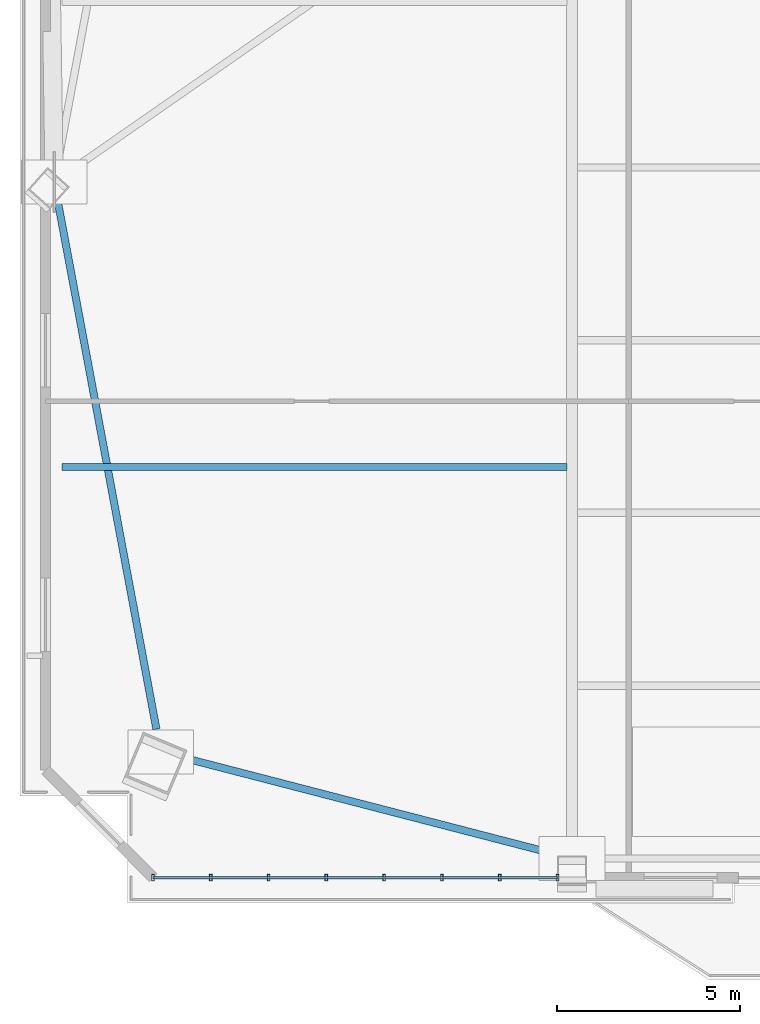
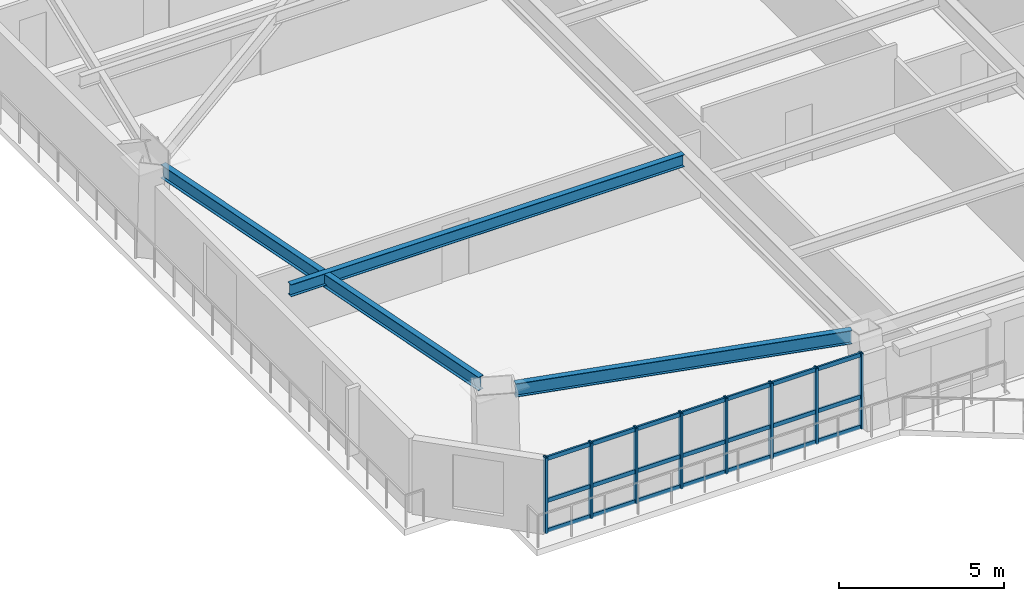
# One storey, part 2 of 15: 11 members, 3 beams, 1 element without a shape of its own.
"""IFC4 building model written with IfcOpenShell, lengths in metres."""

from ifc_helpers import new_model, si_unit, direction, frame, origin, origin_2d, place, context, subcontext, project, spatial, hollow_rectangle, i_section, extrude, source, transform, mapped, material, layer, layer_set, material_profile, profile_set, type_object, element, aggregate, save


model = new_model("IFC4")

# Units and contexts
model_context = context("Model", 3, precision=1e-05, world=origin(), true_north=direction((0.0, 1.0)))
body_context = subcontext(model_context, "Body", "Model", "MODEL_VIEW")
ifc_project = project(units=[si_unit("LENGTHUNIT", "METRE"), si_unit("AREAUNIT", "SQUARE_METRE"), si_unit("VOLUMEUNIT", "CUBIC_METRE"), si_unit("PLANEANGLEUNIT", "RADIAN"), si_unit("MASSUNIT", "GRAM", prefix="KILO")], contexts=[model_context])

# Site, building, storey
site_placement = place(None, origin())
site = spatial("IfcSite", under=ifc_project, at=site_placement, CompositionType="ELEMENT")
building_placement = place(site_placement, origin())
building = spatial("IfcBuilding", under=site, at=building_placement, Name="Giltprow Tower", CompositionType="ELEMENT")
storey_placement = place(building_placement, frame((0.0, 0.0, 156.199951171875)))
storey = spatial("IfcBuildingStorey", under=building, at=storey_placement, Name="L38", CompositionType="ELEMENT", Elevation=156.199951171875)

# Beams
ifc_material_1 = material(Name="Structural steel Q355B", Category="steel")
ifc_material_profile_1 = material_profile(ifc_material_1, i_section(OverallWidth=0.199951171875, OverallDepth=0.5, WebThickness=0.010009765625, FlangeThickness=0.01611328125, at=origin_2d()), Name="HN 500x200x10x16")
ifc_profile_set_1 = profile_set([ifc_material_profile_1], Name="Structural steel Q355B")
beam_type_1 = type_object("IfcBeamType", Name="BM-SPAN-HN500", PredefinedType="SPANDREL", material=ifc_profile_set_1)
shared_shape_1 = source(origin(), body_context, "Body", "SweptSolid", [
    extrude(i_section(OverallWidth=0.199951171875, OverallDepth=0.5, WebThickness=0.010009765625, FlangeThickness=0.01611328125, at=origin_2d()), origin(), (0.0, 0.0, 1.0), 10.603759765625),
])
beam_1_placement = place(storey_placement, frame((9.2119140625, 11.85205078125, 3.02001953125), z_axis=(0.968074122334, -0.250664105262, 0.0), x_axis=(0.250664105262, 0.968074122334, 0.0)))
element("IfcBeam", 1, at=beam_1_placement, inside=storey, type_object=beam_type_1, Name="L38 Perimeter Spandrel Beam MC_SW-S1", PredefinedType="SPANDREL", context=body_context, shape_type="MappedRepresentation", body=[
    mapped(shared_shape_1, transform((0.0, 0.0, 0.0), x_axis=(1.0, 0.0, 0.0), y_axis=(0.0, 1.0, 0.0), z_axis=(0.0, 0.0, 1.0), scale=1.0)),
])
shared_shape_2 = source(origin(), body_context, "Body", "SweptSolid", [
    extrude(i_section(OverallWidth=0.199951171875, OverallDepth=0.5, WebThickness=0.010009765625, FlangeThickness=0.01611328125, at=origin_2d()), origin(), (0.0, 0.0, 1.0), 14.83837890625),
])
beam_2_placement = place(storey_placement, frame((5.7548828125, 27.220947265625, 3.02001953125), z_axis=(0.183652712761, -0.982991190752, 0.0), x_axis=(0.982991190752, 0.183652712761, 0.0)))
element("IfcBeam", 2, at=beam_2_placement, inside=storey, type_object=beam_type_1, Name="L38 Perimeter Spandrel Beam W_MID-MC_SW", PredefinedType="SPANDREL", context=body_context, shape_type="MappedRepresentation", body=[
    mapped(shared_shape_2, transform((0.0, 0.0, 0.0), x_axis=(1.0, 0.0, 0.0), y_axis=(0.0, 1.0, 0.0), z_axis=(0.0, 0.0, 1.0), scale=1.0)),
])
ifc_material_profile_2 = material_profile(ifc_material_1, i_section(OverallWidth=0.199951171875, OverallDepth=0.449951171875, WebThickness=0.009033203125, FlangeThickness=0.013916015625, at=origin_2d()), Name="HN 450x200x9x14")
ifc_profile_set_2 = profile_set([ifc_material_profile_2], Name="Structural steel Q355B")
beam_type_2 = type_object("IfcBeamType", Name="BM-JOIST-HN450", PredefinedType="JOIST", material=ifc_profile_set_2)
shared_shape_3 = source(origin(), body_context, "Body", "SweptSolid", [
    extrude(i_section(OverallWidth=0.199951171875, OverallDepth=0.449951171875, WebThickness=0.009033203125, FlangeThickness=0.013916015625, at=origin_2d()), origin(), (0.0, 0.0, 1.0), 13.801025390625),
])
beam_3_placement = place(storey_placement, frame((5.904052734375, 19.804931640625, 3.045166015625), z_axis=(1.0, 0.0, 0.0), x_axis=(0.0, 1.0, 0.0)))
element("IfcBeam", 3, at=beam_3_placement, inside=storey, type_object=beam_type_2, Name="L38 West Wing Floor Joist 1", PredefinedType="JOIST", context=body_context, shape_type="MappedRepresentation", body=[
    mapped(shared_shape_3, transform((0.0, 0.0, 0.0), x_axis=(1.0, 0.0, 0.0), y_axis=(0.0, 1.0, 0.0), z_axis=(0.0, 0.0, 1.0), scale=1.0)),
])

# Curtain wall, members
ifc_material_2 = material(Name="Anodized bronze", Category="metal")
ifc_layer = layer(ifc_material_2, 0.179931640625, Name="Anodized bronze")
ifc_layer_set = layer_set([ifc_layer], Name="Anodized bronze")
curtain_wall_type = type_object("IfcCurtainWallType", Name="CW-HTL-BRONZE", PredefinedType="NOTDEFINED", material=ifc_layer_set)
curtain_wall_placement = place(storey_placement, origin())
curtain_wall = element("IfcCurtainWall", 4, at=curtain_wall_placement, inside=storey, type_object=curtain_wall_type, Name="L38 South Recessed Curtain Wall 1", PredefinedType="NOTDEFINED")
ifc_material_profile_3 = material_profile(ifc_material_2, hollow_rectangle(XDim=0.074951171875, YDim=0.179931640625, WallThickness=0.008056640625, at=origin_2d()), Name="RHS 180x75x8")
ifc_profile_set_3 = profile_set([ifc_material_profile_3], Name="Anodized bronze")
member_type_1 = type_object("IfcMemberType", Name="CW-MULLION-180x75", PredefinedType="MULLION", material=ifc_profile_set_3)
shared_shape_4 = source(origin(), body_context, "Body", "SweptSolid", [
    extrude(hollow_rectangle(XDim=0.074951171875, YDim=0.179931640625, WallThickness=0.008056640625, at=origin_2d()), origin(), (0.0, 0.0, 1.0), 2.80517578125),
])
member_1_placement = place(storey_placement, frame((8.387939453125, 8.572021484375, -0.02001953125), z_axis=(0.0, 0.0, 1.0), x_axis=(1.0, 0.0, 0.0)))
member_1 = element("IfcMember", 5, at=member_1_placement, type_object=member_type_1, Name="L38 South Recessed Curtain Wall 1 Mullion 1", PredefinedType="MULLION", context=body_context, shape_type="MappedRepresentation", body=[
    mapped(shared_shape_4, transform((0.0, 0.0, 0.0), x_axis=(1.0, 0.0, 0.0), y_axis=(0.0, 1.0, 0.0), z_axis=(0.0, 0.0, 1.0), scale=1.0)),
])
member_2_placement = place(storey_placement, frame((9.968017578125, 8.572021484375, -0.02001953125), z_axis=(0.0, 0.0, 1.0), x_axis=(1.0, 0.0, 0.0)))
member_2 = element("IfcMember", 6, at=member_2_placement, type_object=member_type_1, Name="L38 South Recessed Curtain Wall 1 Mullion 2", PredefinedType="MULLION", context=body_context, shape_type="MappedRepresentation", body=[
    mapped(shared_shape_4, transform((0.0, 0.0, 0.0), x_axis=(1.0, 0.0, 0.0), y_axis=(0.0, 1.0, 0.0), z_axis=(0.0, 0.0, 1.0), scale=1.0)),
])
member_3_placement = place(storey_placement, frame((11.549072265625, 8.572021484375, -0.02001953125), z_axis=(0.0, 0.0, 1.0), x_axis=(1.0, 0.0, 0.0)))
member_3 = element("IfcMember", 7, at=member_3_placement, type_object=member_type_1, Name="L38 South Recessed Curtain Wall 1 Mullion 3", PredefinedType="MULLION", context=body_context, shape_type="MappedRepresentation", body=[
    mapped(shared_shape_4, transform((0.0, 0.0, 0.0), x_axis=(1.0, 0.0, 0.0), y_axis=(0.0, 1.0, 0.0), z_axis=(0.0, 0.0, 1.0), scale=1.0)),
])
member_4_placement = place(storey_placement, frame((13.12890625, 8.572021484375, -0.02001953125), z_axis=(0.0, 0.0, 1.0), x_axis=(1.0, 0.0, 0.0)))
member_4 = element("IfcMember", 8, at=member_4_placement, type_object=member_type_1, Name="L38 South Recessed Curtain Wall 1 Mullion 4", PredefinedType="MULLION", context=body_context, shape_type="MappedRepresentation", body=[
    mapped(shared_shape_4, transform((0.0, 0.0, 0.0), x_axis=(1.0, 0.0, 0.0), y_axis=(0.0, 1.0, 0.0), z_axis=(0.0, 0.0, 1.0), scale=1.0)),
])
member_5_placement = place(storey_placement, frame((14.708984375, 8.572021484375, -0.02001953125), z_axis=(0.0, 0.0, 1.0), x_axis=(1.0, 0.0, 0.0)))
member_5 = element("IfcMember", 9, at=member_5_placement, type_object=member_type_1, Name="L38 South Recessed Curtain Wall 1 Mullion 5", PredefinedType="MULLION", context=body_context, shape_type="MappedRepresentation", body=[
    mapped(shared_shape_4, transform((0.0, 0.0, 0.0), x_axis=(1.0, 0.0, 0.0), y_axis=(0.0, 1.0, 0.0), z_axis=(0.0, 0.0, 1.0), scale=1.0)),
])
member_6_placement = place(storey_placement, frame((16.2890625, 8.572021484375, -0.02001953125), z_axis=(0.0, 0.0, 1.0), x_axis=(1.0, 0.0, 0.0)))
member_6 = element("IfcMember", 10, at=member_6_placement, type_object=member_type_1, Name="L38 South Recessed Curtain Wall 1 Mullion 6", PredefinedType="MULLION", context=body_context, shape_type="MappedRepresentation", body=[
    mapped(shared_shape_4, transform((0.0, 0.0, 0.0), x_axis=(1.0, 0.0, 0.0), y_axis=(0.0, 1.0, 0.0), z_axis=(0.0, 0.0, 1.0), scale=1.0)),
])
member_7_placement = place(storey_placement, frame((17.8701171875, 8.572021484375, -0.02001953125), z_axis=(0.0, 0.0, 1.0), x_axis=(1.0, 0.0, 0.0)))
member_7 = element("IfcMember", 11, at=member_7_placement, type_object=member_type_1, Name="L38 South Recessed Curtain Wall 1 Mullion 7", PredefinedType="MULLION", context=body_context, shape_type="MappedRepresentation", body=[
    mapped(shared_shape_4, transform((0.0, 0.0, 0.0), x_axis=(1.0, 0.0, 0.0), y_axis=(0.0, 1.0, 0.0), z_axis=(0.0, 0.0, 1.0), scale=1.0)),
])
member_8_placement = place(storey_placement, frame((19.449951171875, 8.572021484375, -0.02001953125), z_axis=(0.0, 0.0, 1.0), x_axis=(1.0, 0.0, 0.0)))
member_8 = element("IfcMember", 12, at=member_8_placement, type_object=member_type_1, Name="L38 South Recessed Curtain Wall 1 Mullion 8", PredefinedType="MULLION", context=body_context, shape_type="MappedRepresentation", body=[
    mapped(shared_shape_4, transform((0.0, 0.0, 0.0), x_axis=(1.0, 0.0, 0.0), y_axis=(0.0, 1.0, 0.0), z_axis=(0.0, 0.0, 1.0), scale=1.0)),
])
ifc_material_profile_4 = material_profile(ifc_material_2, hollow_rectangle(XDim=0.06494140625, YDim=0.14990234375, WallThickness=0.006103515625, at=origin_2d()), Name="RHS 150x65x6")
ifc_profile_set_4 = profile_set([ifc_material_profile_4], Name="Anodized bronze")
member_type_2 = type_object("IfcMemberType", Name="CW-TRANSOM-150x65", PredefinedType="USERDEFINED", material=ifc_profile_set_4)
shared_shape_5 = source(origin(), body_context, "Body", "SweptSolid", [
    extrude(hollow_rectangle(XDim=0.06494140625, YDim=0.14990234375, WallThickness=0.006103515625, at=origin_2d()), origin(), (0.0, 0.0, 1.0), 11.06201171875),
])
member_9_placement = place(storey_placement, frame((8.387939453125, 8.572021484375, 0.0400390625), z_axis=(1.0, 0.0, 0.0), x_axis=(0.0, 1.0, 0.0)))
member_9 = element("IfcMember", 13, at=member_9_placement, type_object=member_type_2, Name="L38 South Recessed Curtain Wall 1 Transom 1", ObjectType="TRANSOM", PredefinedType="USERDEFINED", context=body_context, shape_type="MappedRepresentation", body=[
    mapped(shared_shape_5, transform((0.0, 0.0, 0.0), x_axis=(1.0, 0.0, 0.0), y_axis=(0.0, 1.0, 0.0), z_axis=(0.0, 0.0, 1.0), scale=1.0)),
])
member_10_placement = place(storey_placement, frame((8.387939453125, 8.572021484375, 1.155029296875), z_axis=(1.0, 0.0, 0.0), x_axis=(0.0, 1.0, 0.0)))
member_10 = element("IfcMember", 14, at=member_10_placement, type_object=member_type_2, Name="L38 South Recessed Curtain Wall 1 Transom 2", ObjectType="TRANSOM", PredefinedType="USERDEFINED", context=body_context, shape_type="MappedRepresentation", body=[
    mapped(shared_shape_5, transform((0.0, 0.0, 0.0), x_axis=(1.0, 0.0, 0.0), y_axis=(0.0, 1.0, 0.0), z_axis=(0.0, 0.0, 1.0), scale=1.0)),
])
member_11_placement = place(storey_placement, frame((8.387939453125, 8.572021484375, 2.7099609375), z_axis=(1.0, 0.0, 0.0), x_axis=(0.0, 1.0, 0.0)))
member_11 = element("IfcMember", 15, at=member_11_placement, type_object=member_type_2, Name="L38 South Recessed Curtain Wall 1 Transom 3", ObjectType="TRANSOM", PredefinedType="USERDEFINED", context=body_context, shape_type="MappedRepresentation", body=[
    mapped(shared_shape_5, transform((0.0, 0.0, 0.0), x_axis=(1.0, 0.0, 0.0), y_axis=(0.0, 1.0, 0.0), z_axis=(0.0, 0.0, 1.0), scale=1.0)),
])
aggregate(curtain_wall, [member_1, member_2, member_3, member_4, member_5, member_6, member_7, member_8, member_9, member_10, member_11])

save(model, "model.ifc")
